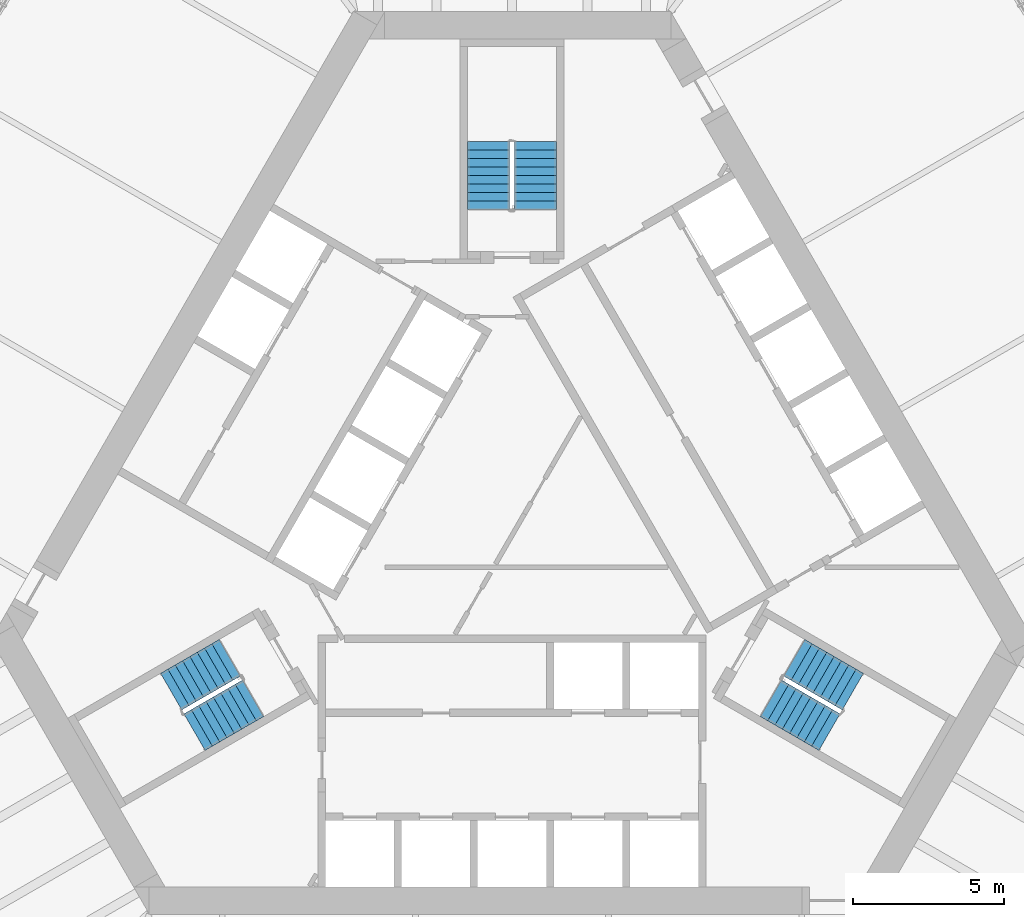
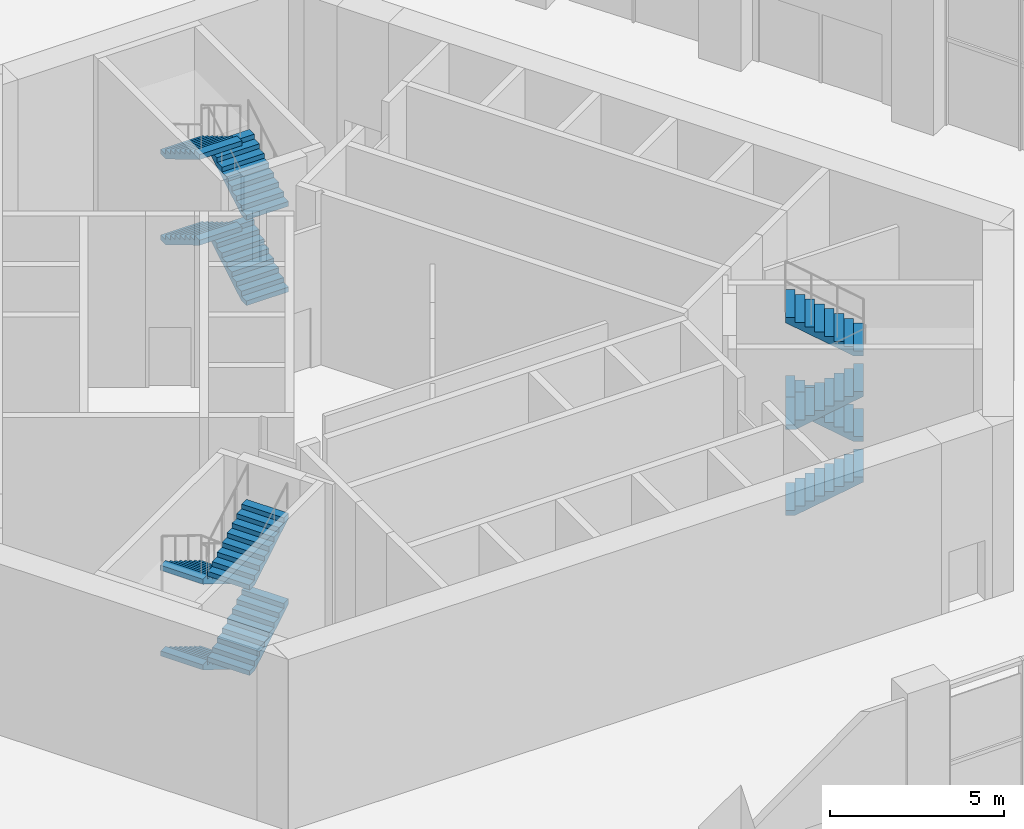
# One storey, part 35 of 41: 12 stair flights, 3 elements without a shape of their own.
"""IFC4 building model written with IfcOpenShell, lengths in metres."""

import ifcopenshell
import ifcopenshell.guid

model = None  # the IFC model being written
_history = None  # IfcOwnerHistory: only IFC2X3 demands one
_inside = {}  # id of a spatial element -> (the spatial element, [elements in it])
_under = {}  # id of a project, library or spatial element -> (it, [spatial elements below it])
_declared = {}  # id of a project -> (the project, [libraries it declares])
_typed = {}  # id of a type object -> (the type object, [elements of that type])
_made_of = {}  # id of a material, layer set ... -> (it, [elements and type objects made of it])


def new_model(schema):
    """Start an empty IFC model of exactly this schema.

    Asked for "IFC4X3", IfcOpenShell would pick the latest addendum, in which some entities
    have other attributes; the version numbers below select the first issue.
    IFC2X3 requires an IfcOwnerHistory on every rooted entity: one is made here for all.
    """
    global model, _history
    if schema == "IFC4X3":
        model = ifcopenshell.file(schema_version=(4, 3, 0, 0))
    else:
        model = ifcopenshell.file(schema=schema)
    _inside.clear()
    _under.clear()
    _declared.clear()
    _typed.clear()
    _made_of.clear()
    _history = None
    if model.schema == "IFC2X3":
        org = make("IfcOrganization", Name="unknown")
        user = make(
            "IfcPersonAndOrganization",
            ThePerson=make("IfcPerson", FamilyName="unknown"),
            TheOrganization=org,
        )
        app = make(
            "IfcApplication",
            ApplicationDeveloper=org,
            Version="unknown",
            ApplicationFullName="unknown",
            ApplicationIdentifier="unknown",
        )
        _history = make(
            "IfcOwnerHistory",
            OwningUser=user,
            OwningApplication=app,
            ChangeAction="ADDED",
            CreationDate=0,
        )
    return model


def make(cls, **values):
    """One entity of the class cls with the attributes given. An attribute that is None is left unset."""
    return model.create_entity(
        cls, **{name: value for name, value in values.items() if value is not None}
    )


def rooted(cls, **values):
    """An entity with a GlobalId (a new one), such as an element, a storey or a relation."""
    return make(cls, GlobalId=ifcopenshell.guid.new(), OwnerHistory=_history, **values)


def si_unit(unit_type, name, prefix=None):
    """IfcSIUnit, for example si_unit("LENGTHUNIT", "METRE", prefix="MILLI")."""
    return make("IfcSIUnit", UnitType=unit_type, Prefix=prefix, Name=name)


def assignment(units):
    """IfcUnitAssignment: the units of a project."""
    return None if units is None else make("IfcUnitAssignment", Units=units)


def point(xyz):
    """IfcCartesianPoint."""
    return None if xyz is None else make("IfcCartesianPoint", Coordinates=xyz)


def direction(xyz):
    """IfcDirection."""
    return None if xyz is None else make("IfcDirection", DirectionRatios=xyz)


def frame(location, z_axis=None, x_axis=None):
    """IfcAxis2Placement3D, a coordinate frame: its origin and axes. An axis left out is left unset."""
    return make(
        "IfcAxis2Placement3D",
        Location=point(location),
        Axis=direction(z_axis),
        RefDirection=direction(x_axis),
    )


def origin():
    """The frame at (0, 0, 0) with its axes left unset."""
    return frame((0.0, 0.0, 0.0))


def place(relative_to, where):
    """IfcLocalPlacement: puts the frame where relative to a parent placement (None: the world)."""
    return make(
        "IfcLocalPlacement", PlacementRelTo=relative_to, RelativePlacement=where
    )


def context(
    kind, dimensions, precision=None, world=None, true_north=None, identifier=None
):
    """IfcGeometricRepresentationContext, for example the 3D "Model" context."""
    return make(
        "IfcGeometricRepresentationContext",
        ContextIdentifier=identifier,
        ContextType=kind,
        CoordinateSpaceDimension=dimensions,
        Precision=precision,
        WorldCoordinateSystem=world,
        TrueNorth=true_north,
    )


def subcontext(parent, identifier, kind, view, scale=None):
    """IfcGeometricRepresentationSubContext, for example "Body" below "Model"."""
    return make(
        "IfcGeometricRepresentationSubContext",
        ContextIdentifier=identifier,
        ContextType=kind,
        ParentContext=parent,
        TargetScale=scale,
        TargetView=view,
    )


def project(units=None, contexts=None):
    """IfcProject with its units and contexts."""
    return rooted(
        "IfcProject",
        Name="project",
        RepresentationContexts=contexts,
        UnitsInContext=assignment(units),
    )


def spatial(cls, under=None, at=None, **own):
    """A site, building, storey or space (cls), placed at a placement, below another one or the project."""
    s = rooted(cls, ObjectPlacement=at, **own)
    if under is not None:
        _under.setdefault(under.id(), (under, []))[1].append(s)
    return s


def polyline(points):
    """IfcPolyline through the points."""
    return make("IfcPolyline", Points=[point(p) for p in points])


def outline(outer, holes=None, kind="AREA"):
    """IfcArbitraryClosedProfileDef: a profile drawn as a closed curve; with holes, ...WithVoids."""
    if holes is None:
        return make("IfcArbitraryClosedProfileDef", ProfileType=kind, OuterCurve=outer)
    return make(
        "IfcArbitraryProfileDefWithVoids",
        ProfileType=kind,
        OuterCurve=outer,
        InnerCurves=holes,
    )


def extrude(swept, where, along, depth):
    """IfcExtrudedAreaSolid: the profile swept, set in the frame where, extruded along a direction by depth."""
    return make(
        "IfcExtrudedAreaSolid",
        SweptArea=swept,
        Position=where,
        ExtrudedDirection=direction(along),
        Depth=depth,
    )


def shape(context_of_items, identifier, shape_type, items):
    """IfcShapeRepresentation: the items that make up one representation, for example the "Body"."""
    return make(
        "IfcShapeRepresentation",
        ContextOfItems=context_of_items,
        RepresentationIdentifier=identifier,
        RepresentationType=shape_type,
        Items=items,
    )


def material(Name=None, Category=None):
    """IfcMaterial."""
    return make("IfcMaterial", Name=Name, Category=Category)


def made_of(thing, what):
    """Note that an element or type object is made of a material, layer set ...; save() writes the relation."""
    if what is not None:
        _made_of.setdefault(what.id(), (what, []))[1].append(thing)
    return thing


def type_object(cls, material=None, **own):
    """A type object (cls), such as IfcWallType, which elements share."""
    return made_of(rooted(cls, **own), material)


def element(
    cls,
    number,
    at=None,
    inside=None,
    cuts=None,
    type_object=None,
    material=None,
    context=None,
    identifier="Body",
    shape_type=None,
    held_by="IfcProductDefinitionShape",
    body=None,
    shapes=None,
    **own,
):
    """One element of the class cls, such as IfcWall. Its Tag is "e" and its number.

    at: its placement. inside: the storey or other place that contains it. cuts: it is an
    opening in that element (IfcRelVoidsElement). A single representation is given by context,
    identifier, shape_type and body (its items); several are given by shapes. held_by: the class
    of the entity that holds the representations. save() writes the other relations.
    """
    e = rooted(cls, Tag="e%d" % number, ObjectPlacement=at, **own)
    if body is not None:
        shapes = [shape(context, identifier, shape_type, body)]
    if shapes is not None:
        e.Representation = make(held_by, Representations=shapes)
    if inside is not None:
        _inside.setdefault(inside.id(), (inside, []))[1].append(e)
    if cuts is not None:
        rooted(
            "IfcRelVoidsElement", RelatingBuildingElement=cuts, RelatedOpeningElement=e
        )
    if type_object is not None:
        _typed.setdefault(type_object.id(), (type_object, []))[1].append(e)
    return made_of(e, material)


def aggregate(whole, parts):
    """IfcRelAggregates: a whole, such as a stair, and the parts it consists of."""
    return rooted("IfcRelAggregates", RelatingObject=whole, RelatedObjects=parts)


def save(model, path):
    """Write the relations noted so far, then the file.

    IfcRelAggregates (storeys below a building ...), IfcRelContainedInSpatialStructure (elements
    in a storey), IfcRelDefinesByType, IfcRelAssociatesMaterial and IfcRelDeclares: one each for
    every whole, place, type object, material and project.
    """
    for whole, parts in _under.values():
        aggregate(whole, parts)
    for where, things in _inside.values():
        rooted(
            "IfcRelContainedInSpatialStructure",
            RelatedElements=things,
            RelatingStructure=where,
        )
    for kind, things in _typed.values():
        rooted("IfcRelDefinesByType", RelatedObjects=things, RelatingType=kind)
    for what, things in _made_of.values():
        rooted("IfcRelAssociatesMaterial", RelatedObjects=things, RelatingMaterial=what)
    for by, libraries in _declared.values():
        rooted("IfcRelDeclares", RelatingContext=by, RelatedDefinitions=libraries)
    model.write(path)


model = new_model("IFC4")

# Units and contexts
model_context = context("Model", 3, precision=1e-05, world=origin(), true_north=direction((0.0, 1.0)))
body_context = subcontext(model_context, "Body", "Model", "MODEL_VIEW")
ifc_project = project(units=[si_unit("LENGTHUNIT", "METRE"), si_unit("AREAUNIT", "SQUARE_METRE"), si_unit("VOLUMEUNIT", "CUBIC_METRE"), si_unit("PLANEANGLEUNIT", "RADIAN"), si_unit("MASSUNIT", "GRAM", prefix="KILO")], contexts=[model_context])

# Site, building, storey
site_placement = place(None, origin())
site = spatial("IfcSite", under=ifc_project, at=site_placement, CompositionType="ELEMENT")
building_placement = place(site_placement, origin())
building = spatial("IfcBuilding", under=site, at=building_placement, Name="Mestral Congress Tower", CompositionType="ELEMENT")
storey_placement = place(building_placement, frame((0.0, 0.0, 21.60009765625)))
storey = spatial("IfcBuildingStorey", under=building, at=storey_placement, Name="L04", CompositionType="ELEMENT", Elevation=21.60009765625)

# Stair, stair flights
ifc_material = material(Name="Concrete C60/75", Category="concrete")
stair_type = type_object("IfcStairType", Name="Exit stair 1400", PredefinedType="HALF_TURN_STAIR", material=ifc_material)
placement = place(storey_placement, origin())
stair_1 = element("IfcStair", 1, at=placement, inside=storey, type_object=stair_type, Name="L04 ST1", PredefinedType="HALF_TURN_STAIR")
stair_flight_type = type_object("IfcStairFlightType", Name="Exit stair flight 1400", PredefinedType="STRAIGHT", material=ifc_material)
stair_flight_1_placement = place(storey_placement, frame((8.575927734375, -5.84619140625, 0.0), z_axis=(0.0, 0.0, 1.0), x_axis=(0.866025403784, -0.5, 0.0)))
stair_flight_1 = element("IfcStairFlight", 2, at=stair_flight_1_placement, type_object=stair_flight_type, Name="ST1 flight 1", NumberOfRisers=9, NumberOfTreads=8, PredefinedType="STRAIGHT", RiserHeight=0.166666667, TreadLength=0.28, context=body_context, shape_type="SweptSolid", body=[
    extrude(outline(polyline([(0.0, 0.0), (0.0, 0.166748046875), (0.280029296875, 0.166748046875), (0.280029296875, 0.333251953125), (0.56005859375, 0.333251953125), (0.56005859375, 0.5), (0.840087890625, 0.5), (0.840087890625, 0.666748046875), (1.1201171875, 0.666748046875), (1.1201171875, 0.833251953125), (1.39990234375, 0.833251953125), (1.39990234375, 1.0), (1.679931640625, 1.0), (1.679931640625, 1.166748046875), (1.9599609375, 1.166748046875), (1.9599609375, 1.333251953125), (2.239990234375, 1.333251953125), (2.239990234375, 1.5), (2.239990234375, 1.158935546875), (0.29296875, 0.0), (0.0, 0.0)])), frame((0.0, 0.699951171875, 0.0), z_axis=(0.0, -1.0, 0.0), x_axis=(1.0, 0.0, 0.0)), (0.0, 0.0, 1.0), 1.39990234375),
])
stair_flight_2_placement = place(storey_placement, frame((11.290771484375, -5.623779296875, 1.5), z_axis=(0.0, 0.0, 1.0), x_axis=(-0.866025403784, 0.5, 0.0)))
stair_flight_2 = element("IfcStairFlight", 3, at=stair_flight_2_placement, type_object=stair_flight_type, Name="ST1 flight 2", NumberOfRisers=9, NumberOfTreads=8, PredefinedType="STRAIGHT", RiserHeight=0.166666667, TreadLength=0.28, context=body_context, shape_type="SweptSolid", body=[
    extrude(outline(polyline([(0.0, 0.0), (0.0, 0.166748046875), (0.280029296875, 0.166748046875), (0.280029296875, 0.333251953125), (0.56005859375, 0.333251953125), (0.56005859375, 0.5), (0.840087890625, 0.5), (0.840087890625, 0.666748046875), (1.1201171875, 0.666748046875), (1.1201171875, 0.833251953125), (1.39990234375, 0.833251953125), (1.39990234375, 1.0), (1.679931640625, 1.0), (1.679931640625, 1.166748046875), (1.9599609375, 1.166748046875), (1.9599609375, 1.333251953125), (2.239990234375, 1.333251953125), (2.239990234375, 1.5), (2.239990234375, 1.158935546875), (0.29296875, 0.0), (0.0, 0.0)])), frame((0.0, 0.699951171875, 0.0), z_axis=(0.0, -1.0, 0.0), x_axis=(1.0, 0.0, 0.0)), (0.0, 0.0, 1.0), 1.39990234375),
])
stair_flight_3_placement = place(storey_placement, frame((8.575927734375, -5.84619140625, 3.0), z_axis=(0.0, 0.0, 1.0), x_axis=(0.866025403784, -0.5, 0.0)))
stair_flight_3 = element("IfcStairFlight", 4, at=stair_flight_3_placement, type_object=stair_flight_type, Name="ST1 flight 3", NumberOfRisers=9, NumberOfTreads=8, PredefinedType="STRAIGHT", RiserHeight=0.166666667, TreadLength=0.28, context=body_context, shape_type="SweptSolid", body=[
    extrude(outline(polyline([(0.0, 0.0), (0.0, 0.166748046875), (0.280029296875, 0.166748046875), (0.280029296875, 0.333251953125), (0.56005859375, 0.333251953125), (0.56005859375, 0.5), (0.840087890625, 0.5), (0.840087890625, 0.666748046875), (1.1201171875, 0.666748046875), (1.1201171875, 0.833251953125), (1.39990234375, 0.833251953125), (1.39990234375, 1.0), (1.679931640625, 1.0), (1.679931640625, 1.166748046875), (1.9599609375, 1.166748046875), (1.9599609375, 1.333251953125), (2.239990234375, 1.333251953125), (2.239990234375, 1.5), (2.239990234375, 1.158935546875), (0.29296875, 0.0), (0.0, 0.0)])), frame((0.0, 0.699951171875, 0.0), z_axis=(0.0, -1.0, 0.0), x_axis=(1.0, 0.0, 0.0)), (0.0, 0.0, 1.0), 1.39990234375),
])
stair_flight_4_placement = place(storey_placement, frame((11.290771484375, -5.623779296875, 4.5), z_axis=(0.0, 0.0, 1.0), x_axis=(-0.866025403784, 0.5, 0.0)))
stair_flight_4 = element("IfcStairFlight", 5, at=stair_flight_4_placement, type_object=stair_flight_type, Name="ST1 flight 4", NumberOfRisers=9, NumberOfTreads=8, PredefinedType="STRAIGHT", RiserHeight=0.166666667, TreadLength=0.28, context=body_context, shape_type="SweptSolid", body=[
    extrude(outline(polyline([(0.0, 0.0), (0.0, 0.166748046875), (0.280029296875, 0.166748046875), (0.280029296875, 0.333251953125), (0.56005859375, 0.333251953125), (0.56005859375, 0.5), (0.840087890625, 0.5), (0.840087890625, 0.666748046875), (1.1201171875, 0.666748046875), (1.1201171875, 0.833251953125), (1.39990234375, 0.833251953125), (1.39990234375, 1.0), (1.679931640625, 1.0), (1.679931640625, 1.166748046875), (1.9599609375, 1.166748046875), (1.9599609375, 1.333251953125), (2.239990234375, 1.333251953125), (2.239990234375, 1.5), (2.239990234375, 1.158935546875), (0.29296875, 0.0), (0.0, 0.0)])), frame((0.0, 0.699951171875, 0.0), z_axis=(0.0, -1.0, 0.0), x_axis=(1.0, 0.0, 0.0)), (0.0, 0.0, 1.0), 1.39990234375),
])
aggregate(stair_1, [stair_flight_1, stair_flight_2, stair_flight_3, stair_flight_4])

stair_2 = element("IfcStair", 6, at=placement, inside=storey, type_object=stair_type, Name="L04 ST2", PredefinedType="HALF_TURN_STAIR")
stair_flight_5_placement = place(storey_placement, frame((0.77490234375, 10.35009765625, 0.0), z_axis=(0.0, 0.0, 1.0), x_axis=(0.0, 1.0, 0.0)))
stair_flight_5 = element("IfcStairFlight", 7, at=stair_flight_5_placement, type_object=stair_flight_type, Name="ST2 flight 1", NumberOfRisers=9, NumberOfTreads=8, PredefinedType="STRAIGHT", RiserHeight=0.166666667, TreadLength=0.28, context=body_context, shape_type="SweptSolid", body=[
    extrude(outline(polyline([(0.0, 0.0), (0.0, 0.166748046875), (0.280029296875, 0.166748046875), (0.280029296875, 0.333251953125), (0.56005859375, 0.333251953125), (0.56005859375, 0.5), (0.840087890625, 0.5), (0.840087890625, 0.666748046875), (1.1201171875, 0.666748046875), (1.1201171875, 0.833251953125), (1.39990234375, 0.833251953125), (1.39990234375, 1.0), (1.679931640625, 1.0), (1.679931640625, 1.166748046875), (1.9599609375, 1.166748046875), (1.9599609375, 1.333251953125), (2.239990234375, 1.333251953125), (2.239990234375, 1.5), (2.239990234375, 1.158935546875), (0.29296875, 0.0), (0.0, 0.0)])), frame((0.0, 0.699951171875, 0.0), z_axis=(0.0, -1.0, 0.0), x_axis=(1.0, 0.0, 0.0)), (0.0, 0.0, 1.0), 1.39990234375),
])
stair_flight_6_placement = place(storey_placement, frame((-0.77490234375, 12.590087890625, 1.5), z_axis=(0.0, 0.0, 1.0), x_axis=(0.0, -1.0, 0.0)))
stair_flight_6 = element("IfcStairFlight", 8, at=stair_flight_6_placement, type_object=stair_flight_type, Name="ST2 flight 2", NumberOfRisers=9, NumberOfTreads=8, PredefinedType="STRAIGHT", RiserHeight=0.166666667, TreadLength=0.28, context=body_context, shape_type="SweptSolid", body=[
    extrude(outline(polyline([(0.0, 0.0), (0.0, 0.166748046875), (0.280029296875, 0.166748046875), (0.280029296875, 0.333251953125), (0.56005859375, 0.333251953125), (0.56005859375, 0.5), (0.840087890625, 0.5), (0.840087890625, 0.666748046875), (1.1201171875, 0.666748046875), (1.1201171875, 0.833251953125), (1.39990234375, 0.833251953125), (1.39990234375, 1.0), (1.679931640625, 1.0), (1.679931640625, 1.166748046875), (1.9599609375, 1.166748046875), (1.9599609375, 1.333251953125), (2.239990234375, 1.333251953125), (2.239990234375, 1.5), (2.239990234375, 1.158935546875), (0.29296875, 0.0), (0.0, 0.0)])), frame((0.0, 0.699951171875, 0.0), z_axis=(0.0, -1.0, 0.0), x_axis=(1.0, 0.0, 0.0)), (0.0, 0.0, 1.0), 1.39990234375),
])
stair_flight_7_placement = place(storey_placement, frame((0.77490234375, 10.35009765625, 3.0), z_axis=(0.0, 0.0, 1.0), x_axis=(0.0, 1.0, 0.0)))
stair_flight_7 = element("IfcStairFlight", 9, at=stair_flight_7_placement, type_object=stair_flight_type, Name="ST2 flight 3", NumberOfRisers=9, NumberOfTreads=8, PredefinedType="STRAIGHT", RiserHeight=0.166666667, TreadLength=0.28, context=body_context, shape_type="SweptSolid", body=[
    extrude(outline(polyline([(0.0, 0.0), (0.0, 0.166748046875), (0.280029296875, 0.166748046875), (0.280029296875, 0.333251953125), (0.56005859375, 0.333251953125), (0.56005859375, 0.5), (0.840087890625, 0.5), (0.840087890625, 0.666748046875), (1.1201171875, 0.666748046875), (1.1201171875, 0.833251953125), (1.39990234375, 0.833251953125), (1.39990234375, 1.0), (1.679931640625, 1.0), (1.679931640625, 1.166748046875), (1.9599609375, 1.166748046875), (1.9599609375, 1.333251953125), (2.239990234375, 1.333251953125), (2.239990234375, 1.5), (2.239990234375, 1.158935546875), (0.29296875, 0.0), (0.0, 0.0)])), frame((0.0, 0.699951171875, 0.0), z_axis=(0.0, -1.0, 0.0), x_axis=(1.0, 0.0, 0.0)), (0.0, 0.0, 1.0), 1.39990234375),
])
stair_flight_8_placement = place(storey_placement, frame((-0.77490234375, 12.590087890625, 4.5), z_axis=(0.0, 0.0, 1.0), x_axis=(0.0, -1.0, 0.0)))
stair_flight_8 = element("IfcStairFlight", 10, at=stair_flight_8_placement, type_object=stair_flight_type, Name="ST2 flight 4", NumberOfRisers=9, NumberOfTreads=8, PredefinedType="STRAIGHT", RiserHeight=0.166666667, TreadLength=0.28, context=body_context, shape_type="SweptSolid", body=[
    extrude(outline(polyline([(0.0, 0.0), (0.0, 0.166748046875), (0.280029296875, 0.166748046875), (0.280029296875, 0.333251953125), (0.56005859375, 0.333251953125), (0.56005859375, 0.5), (0.840087890625, 0.5), (0.840087890625, 0.666748046875), (1.1201171875, 0.666748046875), (1.1201171875, 0.833251953125), (1.39990234375, 0.833251953125), (1.39990234375, 1.0), (1.679931640625, 1.0), (1.679931640625, 1.166748046875), (1.9599609375, 1.166748046875), (1.9599609375, 1.333251953125), (2.239990234375, 1.333251953125), (2.239990234375, 1.5), (2.239990234375, 1.158935546875), (0.29296875, 0.0), (0.0, 0.0)])), frame((0.0, 0.699951171875, 0.0), z_axis=(0.0, -1.0, 0.0), x_axis=(1.0, 0.0, 0.0)), (0.0, 0.0, 1.0), 1.39990234375),
])
aggregate(stair_2, [stair_flight_5, stair_flight_6, stair_flight_7, stair_flight_8])

stair_3 = element("IfcStair", 11, at=placement, inside=storey, type_object=stair_type, Name="L04 ST3", PredefinedType="HALF_TURN_STAIR")
stair_flight_9_placement = place(storey_placement, frame((-9.350830078125, -4.50390625, 0.0), z_axis=(0.0, 0.0, 1.0), x_axis=(-0.866025403784, -0.5, 0.0)))
stair_flight_9 = element("IfcStairFlight", 12, at=stair_flight_9_placement, type_object=stair_flight_type, Name="ST3 flight 1", NumberOfRisers=9, NumberOfTreads=8, PredefinedType="STRAIGHT", RiserHeight=0.166666667, TreadLength=0.28, context=body_context, shape_type="SweptSolid", body=[
    extrude(outline(polyline([(0.0, 0.0), (0.0, 0.166748046875), (0.280029296875, 0.166748046875), (0.280029296875, 0.333251953125), (0.56005859375, 0.333251953125), (0.56005859375, 0.5), (0.840087890625, 0.5), (0.840087890625, 0.666748046875), (1.1201171875, 0.666748046875), (1.1201171875, 0.833251953125), (1.39990234375, 0.833251953125), (1.39990234375, 1.0), (1.679931640625, 1.0), (1.679931640625, 1.166748046875), (1.9599609375, 1.166748046875), (1.9599609375, 1.333251953125), (2.239990234375, 1.333251953125), (2.239990234375, 1.5), (2.239990234375, 1.158935546875), (0.29296875, 0.0), (0.0, 0.0)])), frame((0.0, 0.699951171875, 0.0), z_axis=(0.0, -1.0, 0.0), x_axis=(1.0, 0.0, 0.0)), (0.0, 0.0, 1.0), 1.39990234375),
])
stair_flight_10_placement = place(storey_placement, frame((-10.515869140625, -6.966064453125, 1.5), z_axis=(0.0, 0.0, 1.0), x_axis=(0.866025403784, 0.5, 0.0)))
stair_flight_10 = element("IfcStairFlight", 13, at=stair_flight_10_placement, type_object=stair_flight_type, Name="ST3 flight 2", NumberOfRisers=9, NumberOfTreads=8, PredefinedType="STRAIGHT", RiserHeight=0.166666667, TreadLength=0.28, context=body_context, shape_type="SweptSolid", body=[
    extrude(outline(polyline([(0.0, 0.0), (0.0, 0.166748046875), (0.280029296875, 0.166748046875), (0.280029296875, 0.333251953125), (0.56005859375, 0.333251953125), (0.56005859375, 0.5), (0.840087890625, 0.5), (0.840087890625, 0.666748046875), (1.1201171875, 0.666748046875), (1.1201171875, 0.833251953125), (1.39990234375, 0.833251953125), (1.39990234375, 1.0), (1.679931640625, 1.0), (1.679931640625, 1.166748046875), (1.9599609375, 1.166748046875), (1.9599609375, 1.333251953125), (2.239990234375, 1.333251953125), (2.239990234375, 1.5), (2.239990234375, 1.158935546875), (0.29296875, 0.0), (0.0, 0.0)])), frame((0.0, 0.699951171875, 0.0), z_axis=(0.0, -1.0, 0.0), x_axis=(1.0, 0.0, 0.0)), (0.0, 0.0, 1.0), 1.39990234375),
])
stair_flight_11_placement = place(storey_placement, frame((-9.350830078125, -4.50390625, 3.0), z_axis=(0.0, 0.0, 1.0), x_axis=(-0.866025403784, -0.5, 0.0)))
stair_flight_11 = element("IfcStairFlight", 14, at=stair_flight_11_placement, type_object=stair_flight_type, Name="ST3 flight 3", NumberOfRisers=9, NumberOfTreads=8, PredefinedType="STRAIGHT", RiserHeight=0.166666667, TreadLength=0.28, context=body_context, shape_type="SweptSolid", body=[
    extrude(outline(polyline([(0.0, 0.0), (0.0, 0.166748046875), (0.280029296875, 0.166748046875), (0.280029296875, 0.333251953125), (0.56005859375, 0.333251953125), (0.56005859375, 0.5), (0.840087890625, 0.5), (0.840087890625, 0.666748046875), (1.1201171875, 0.666748046875), (1.1201171875, 0.833251953125), (1.39990234375, 0.833251953125), (1.39990234375, 1.0), (1.679931640625, 1.0), (1.679931640625, 1.166748046875), (1.9599609375, 1.166748046875), (1.9599609375, 1.333251953125), (2.239990234375, 1.333251953125), (2.239990234375, 1.5), (2.239990234375, 1.158935546875), (0.29296875, 0.0), (0.0, 0.0)])), frame((0.0, 0.699951171875, 0.0), z_axis=(0.0, -1.0, 0.0), x_axis=(1.0, 0.0, 0.0)), (0.0, 0.0, 1.0), 1.39990234375),
])
stair_flight_12_placement = place(storey_placement, frame((-10.515869140625, -6.966064453125, 4.5), z_axis=(0.0, 0.0, 1.0), x_axis=(0.866025403784, 0.5, 0.0)))
stair_flight_12 = element("IfcStairFlight", 15, at=stair_flight_12_placement, type_object=stair_flight_type, Name="ST3 flight 4", NumberOfRisers=9, NumberOfTreads=8, PredefinedType="STRAIGHT", RiserHeight=0.166666667, TreadLength=0.28, context=body_context, shape_type="SweptSolid", body=[
    extrude(outline(polyline([(0.0, 0.0), (0.0, 0.166748046875), (0.280029296875, 0.166748046875), (0.280029296875, 0.333251953125), (0.56005859375, 0.333251953125), (0.56005859375, 0.5), (0.840087890625, 0.5), (0.840087890625, 0.666748046875), (1.1201171875, 0.666748046875), (1.1201171875, 0.833251953125), (1.39990234375, 0.833251953125), (1.39990234375, 1.0), (1.679931640625, 1.0), (1.679931640625, 1.166748046875), (1.9599609375, 1.166748046875), (1.9599609375, 1.333251953125), (2.239990234375, 1.333251953125), (2.239990234375, 1.5), (2.239990234375, 1.158935546875), (0.29296875, 0.0), (0.0, 0.0)])), frame((0.0, 0.699951171875, 0.0), z_axis=(0.0, -1.0, 0.0), x_axis=(1.0, 0.0, 0.0)), (0.0, 0.0, 1.0), 1.39990234375),
])
aggregate(stair_3, [stair_flight_9, stair_flight_10, stair_flight_11, stair_flight_12])

save(model, "model.ifc")
